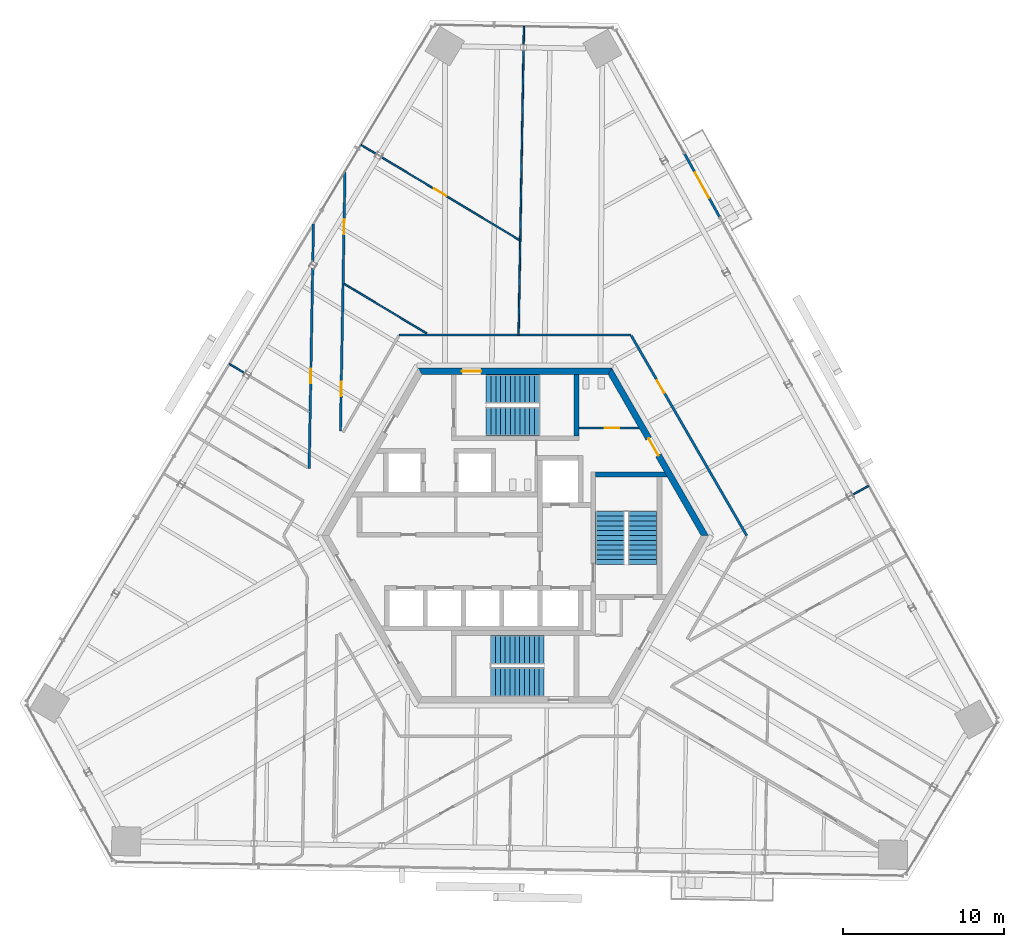
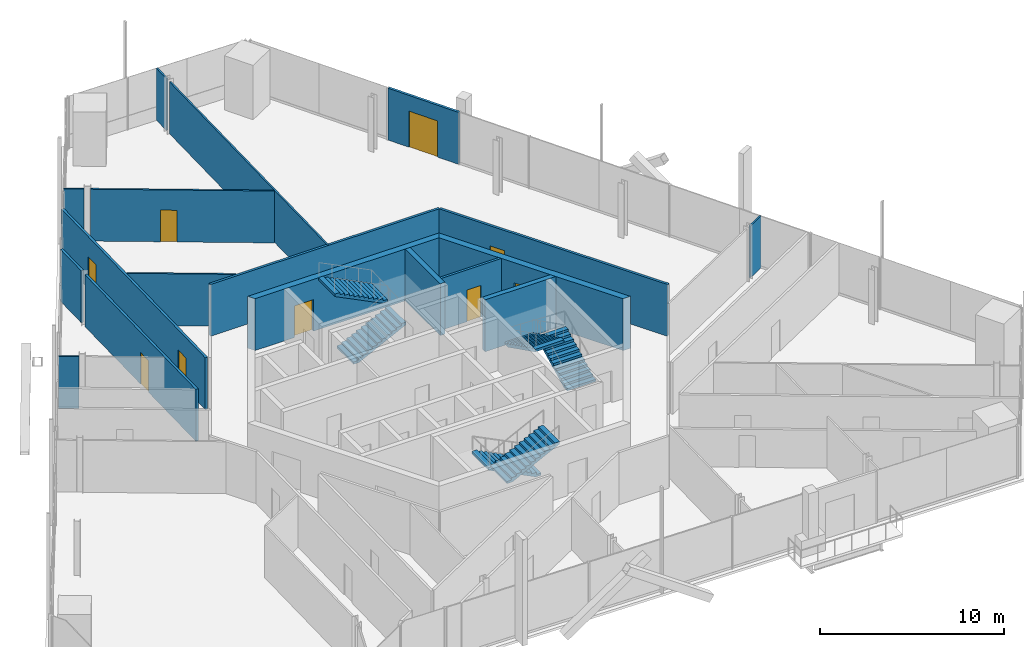
# One storey, part 14 of 20: 18 walls, 9 doors, 6 stair flights, 9 openings, 3 elements without a shape of their own.
"""IFC4 building model written with IfcOpenShell, lengths in metres."""

from ifc_helpers import new_model, si_unit, direction, frame, frame_2d, origin, place, context, subcontext, project, spatial, polyline, rectangle, outline, extrude, source, transform, mapped, material, layer, layer_set, type_object, element, fill, aggregate, save


model = new_model("IFC4")

# Units and contexts
model_context = context("Model", 3, precision=1e-05, world=origin(), true_north=direction((0.0, 1.0)))
body_context = subcontext(model_context, "Body", "Model", "MODEL_VIEW")
ifc_project = project(units=[si_unit("LENGTHUNIT", "METRE"), si_unit("AREAUNIT", "SQUARE_METRE"), si_unit("VOLUMEUNIT", "CUBIC_METRE"), si_unit("PLANEANGLEUNIT", "RADIAN"), si_unit("MASSUNIT", "GRAM", prefix="KILO")], contexts=[model_context])

# Site, building, storey
site_placement = place(None, origin())
site = spatial("IfcSite", under=ifc_project, at=site_placement, CompositionType="ELEMENT")
building_placement = place(site_placement, origin())
building = spatial("IfcBuilding", under=site, at=building_placement, Name="Triune Harvest Tower", CompositionType="ELEMENT")
storey_placement = place(building_placement, frame((0.0, 0.0, 194.300048828125)))
storey = spatial("IfcBuildingStorey", under=building, at=storey_placement, Name="L50", CompositionType="ELEMENT", Elevation=194.300048828125)

# Wall, openings, doors
ifc_material_1 = material(Name="Gypsum board on steel studs", Category="steel")
ifc_layer_1 = layer(ifc_material_1, 0.14990234375)
ifc_layer_set_1 = layer_set([ifc_layer_1], Name="Gypsum board on steel studs")
wall_type_1 = type_object("IfcWallType", Name="Fire Partition 150 mm", PredefinedType="PARTITIONING", material=ifc_layer_set_1)
wall_1_placement = place(storey_placement, frame((-10.8291015625, 6.50341796875, 0.0), z_axis=(0.0, 0.0, 1.0), x_axis=(0.017449085166, 0.999847753124, 0.0)))
wall_1 = element("IfcWall", 1, at=wall_1_placement, inside=storey, type_object=wall_type_1, Name="Partition L50 045", PredefinedType="PARTITIONING", context=body_context, shape_type="SweptSolid", body=[
    extrude(rectangle(XDim=16.09033203125, YDim=0.14990234375, at=frame_2d((8.045166015625, 0.0))), origin(), (0.0, 0.0, 1.0), 3.43994140625),
])
opening_1_placement = place(wall_1_placement, frame((12.20703125, 0.0, 0.0)))
opening_1 = element("IfcOpeningElement", 2, at=opening_1_placement, cuts=wall_1, Name="Opening L50-005", PredefinedType="OPENING", context=body_context, shape_type="SweptSolid", body=[
    extrude(rectangle(XDim=0.89990234375, YDim=2.10009765625, at=frame_2d((0.449951171875, 1.050048828125))), frame((0.0, 0.0849609375, 0.0), z_axis=(0.0, -1.0, 0.0), x_axis=(1.0, 0.0, 0.0)), (0.0, 0.0, 1.0), 0.169921875),
])
opening_2_placement = place(wall_1_placement, frame((2.1533203125, 0.0, 0.0)))
opening_2 = element("IfcOpeningElement", 3, at=opening_2_placement, cuts=wall_1, Name="Opening L50-007", PredefinedType="OPENING", context=body_context, shape_type="SweptSolid", body=[
    extrude(rectangle(XDim=0.89990234375, YDim=2.10009765625, at=frame_2d((0.449951171875, 1.050048828125))), frame((0.0, 0.0849609375, 0.0), z_axis=(0.0, -1.0, 0.0), x_axis=(1.0, 0.0, 0.0)), (0.0, 0.0, 1.0), 0.169921875),
])
ifc_material_2 = material(Name="Timber and steel door set", Category="steel")
door_type_1 = type_object("IfcDoorType", Name="Single leaf door FD30 left hand 900 x 2100", OperationType="SINGLE_SWING_LEFT", PredefinedType="DOOR", material=ifc_material_2)
door_1_placement = place(opening_1_placement, origin())
door_1 = element("IfcDoor", 4, at=door_1_placement, inside=storey, type_object=door_type_1, Name="Door L50-005 Project Room 50.05", OperationType="SINGLE_SWING_LEFT", OverallHeight=2.10009765625, OverallWidth=0.89990234375, PredefinedType="DOOR", context=body_context, shape_type="SweptSolid", body=[
    extrude(rectangle(XDim=0.89990234375, YDim=2.10009765625, at=frame_2d((0.449951171875, 1.050048828125))), frame((0.0, 0.02490234375, 0.0), z_axis=(0.0, -1.0, 0.0), x_axis=(1.0, 0.0, 0.0)), (0.0, 0.0, 1.0), 0.050048828125),
])
fill(opening_1, door_1)
ifc_material_3 = material(Name="Timber and steel door set", Category="steel")
door_type_2 = type_object("IfcDoorType", Name="Single leaf door FD30 right hand 900 x 2100", OperationType="SINGLE_SWING_RIGHT", PredefinedType="DOOR", material=ifc_material_3)
door_2_placement = place(opening_2_placement, origin())
door_2 = element("IfcDoor", 5, at=door_2_placement, inside=storey, type_object=door_type_2, Name="Door L50-007 Pantry 50.07", OperationType="SINGLE_SWING_RIGHT", OverallHeight=2.10009765625, OverallWidth=0.89990234375, PredefinedType="DOOR", context=body_context, shape_type="SweptSolid", body=[
    extrude(rectangle(XDim=0.89990234375, YDim=2.10009765625, at=frame_2d((0.449951171875, 1.050048828125))), frame((0.0, 0.02490234375, 0.0), z_axis=(0.0, -1.0, 0.0), x_axis=(1.0, 0.0, 0.0)), (0.0, 0.0, 1.0), 0.050048828125),
])
fill(opening_2, door_2)

# Wall, opening, door
wall_2_placement = place(storey_placement, frame((-12.770263671875, 4.1572265625, 0.0), z_axis=(0.0, 0.0, 1.0), x_axis=(0.017439892893, 0.999847913503, 0.0)))
wall_2 = element("IfcWall", 6, at=wall_2_placement, inside=storey, type_object=wall_type_1, Name="Partition L50 047", PredefinedType="PARTITIONING", context=body_context, shape_type="SweptSolid", body=[
    extrude(rectangle(XDim=12.43115234375, YDim=0.14990234375, at=frame_2d((6.215576171875, 0.0))), origin(), (0.0, 0.0, 1.0), 3.43994140625),
])
opening_3_placement = place(wall_2_placement, frame((5.306640625, 0.0, 0.0)))
opening_3 = element("IfcOpeningElement", 7, at=opening_3_placement, cuts=wall_2, Name="Opening L50-006", PredefinedType="OPENING", context=body_context, shape_type="SweptSolid", body=[
    extrude(rectangle(XDim=0.89990234375, YDim=2.10009765625, at=frame_2d((0.449951171875, 1.050048828125))), frame((0.0, 0.0849609375, 0.0), z_axis=(0.0, -1.0, 0.0), x_axis=(1.0, 0.0, 0.0)), (0.0, 0.0, 1.0), 0.169921875),
])
door_3_placement = place(opening_3_placement, origin())
door_3 = element("IfcDoor", 8, at=door_3_placement, inside=storey, type_object=door_type_1, Name="Door L50-006 Project Room 50.06", OperationType="SINGLE_SWING_LEFT", OverallHeight=2.10009765625, OverallWidth=0.89990234375, PredefinedType="DOOR", context=body_context, shape_type="SweptSolid", body=[
    extrude(rectangle(XDim=0.89990234375, YDim=2.10009765625, at=frame_2d((0.449951171875, 1.050048828125))), frame((0.0, 0.02490234375, 0.0), z_axis=(0.0, -1.0, 0.0), x_axis=(1.0, 0.0, 0.0)), (0.0, 0.0, 1.0), 0.050048828125),
])
fill(opening_3, door_3)

ifc_material_4 = material(Name="Concrete 70 MPa", Category="concrete")
ifc_layer_2 = layer(ifc_material_4, 0.39990234375)
ifc_layer_set_2 = layer_set([ifc_layer_2], Name="Concrete 70 MPa")
wall_type_2 = type_object("IfcWallType", Name="Core wall 400", PredefinedType="SHEAR", material=ifc_layer_set_2)
shared_shape_1 = source(origin(), body_context, "Body", "SweptSolid", [
    extrude(outline(polyline([(-0.115478515625, -0.199951171875), (11.884521484375, -0.199951171875), (11.653564453125, 0.199951171875), (0.115478515625, 0.199951171875), (-0.115478515625, -0.199951171875)])), origin(), (0.0, 0.0, 1.0), 3.43994140625),
])
wall_3_placement = place(storey_placement, frame((11.76904296875, 0.0, 0.0), z_axis=(0.0, 0.0, 1.0), x_axis=(-0.499996592174, 0.866027371285, 0.0)))
wall_3 = element("IfcWall", 9, at=wall_3_placement, inside=storey, type_object=wall_type_2, Name="Hexagon 0 wall", PredefinedType="SHEAR", context=body_context, shape_type="MappedRepresentation", body=[
    mapped(shared_shape_1, transform((0.0, 0.0, 0.0), scale=1.0)),
])
opening_4_placement = place(wall_3_placement, frame((5.75048828125, 0.0, 0.0)))
opening_4 = element("IfcOpeningElement", 10, at=opening_4_placement, cuts=wall_3, Name="Opening CD-WCP", PredefinedType="OPENING", context=body_context, shape_type="SweptSolid", body=[
    extrude(rectangle(XDim=1.199951171875, YDim=2.10009765625, at=frame_2d((0.60009765625, 1.050048828125))), frame((0.0, 0.2099609375, 0.0), z_axis=(0.0, -1.0, 0.0), x_axis=(1.0, 0.0, 0.0)), (0.0, 0.0, 1.0), 0.419921875),
])
ifc_material_5 = material(Name="Steel S235", Category="steel")
door_type_3 = type_object("IfcDoorType", Name="Lobby door 1200 FD120", OperationType="SINGLE_SWING_LEFT", PredefinedType="DOOR", material=ifc_material_5)
door_4_placement = place(opening_4_placement, frame((1.199951171875, 0.0, 0.0), z_axis=(0.0, 0.0, 1.0), x_axis=(-1.0, 0.0, 0.0)))
door_4 = element("IfcDoor", 11, at=door_4_placement, inside=storey, type_object=door_type_3, Name="Door CD-WCP", OperationType="SINGLE_SWING_RIGHT", OverallHeight=2.10009765625, OverallWidth=1.199951171875, PredefinedType="DOOR", context=body_context, shape_type="SweptSolid", body=[
    extrude(rectangle(XDim=1.199951171875, YDim=2.10009765625, at=frame_2d((0.60009765625, 1.050048828125))), frame((0.0, 0.02490234375, 0.0), z_axis=(0.0, -1.0, 0.0), x_axis=(1.0, 0.0, 0.0)), (0.0, 0.0, 1.0), 0.050048828125),
])
fill(opening_4, door_4)

wall_4_placement = place(storey_placement, frame((5.884521484375, 10.1923828125, 0.0), z_axis=(0.0, 0.0, 1.0), x_axis=(-1.0, 0.0, 0.0)))
wall_4 = element("IfcWall", 12, at=wall_4_placement, inside=storey, type_object=wall_type_2, Name="Hexagon 1 wall", PredefinedType="SHEAR", context=body_context, shape_type="MappedRepresentation", body=[
    mapped(shared_shape_1, transform((0.0, 0.0, 0.0), scale=1.0)),
])
opening_5_placement = place(wall_4_placement, frame((7.984619140625, 0.0, 0.0)))
opening_5 = element("IfcOpeningElement", 13, at=opening_5_placement, cuts=wall_4, Name="Opening CD-S1P", PredefinedType="OPENING", context=body_context, shape_type="SweptSolid", body=[
    extrude(rectangle(XDim=1.199951171875, YDim=2.10009765625, at=frame_2d((0.60009765625, 1.050048828125))), frame((0.0, 0.2099609375, 0.0), z_axis=(0.0, -1.0, 0.0), x_axis=(1.0, 0.0, 0.0)), (0.0, 0.0, 1.0), 0.419921875),
])
ifc_material_6 = material(Name="Steel S235", Category="steel")
door_type_4 = type_object("IfcDoorType", Name="Stair door 1200 FD120", OperationType="SINGLE_SWING_LEFT", PredefinedType="DOOR", material=ifc_material_6)
door_5_placement = place(opening_5_placement, frame((1.199951171875, 0.0, 0.0), z_axis=(0.0, 0.0, 1.0), x_axis=(-1.0, 0.0, 0.0)))
door_5 = element("IfcDoor", 14, at=door_5_placement, inside=storey, type_object=door_type_4, Name="Door CD-S1P", OperationType="SINGLE_SWING_RIGHT", OverallHeight=2.10009765625, OverallWidth=1.199951171875, PredefinedType="DOOR", context=body_context, shape_type="SweptSolid", body=[
    extrude(rectangle(XDim=1.199951171875, YDim=2.10009765625, at=frame_2d((0.60009765625, 1.050048828125))), frame((0.0, 0.02490234375, 0.0), z_axis=(0.0, -1.0, 0.0), x_axis=(1.0, 0.0, 0.0)), (0.0, 0.0, 1.0), 0.050048828125),
])
fill(opening_5, door_5)

# Walls
ifc_material_7 = material(Name="Concrete 70 MPa", Category="concrete")
ifc_layer_3 = layer(ifc_material_7, 0.300048828125)
ifc_layer_set_3 = layer_set([ifc_layer_3], Name="Concrete 70 MPa")
wall_type_3 = type_object("IfcWallType", Name="Core wall 300", PredefinedType="SHEAR", material=ifc_layer_set_3)
shared_shape_2 = source(origin(), body_context, "Body", "SweptSolid", [
    extrude(outline(polyline([(0.0, -0.14990234375), (0.0, 0.14990234375), (4.260009765625, 0.14990234375), (4.43310546875, -0.14990234375), (0.0, -0.14990234375)])), origin(), (0.0, 0.0, 1.0), 3.43994140625),
])
wall_5_placement = place(storey_placement, frame((5.0, 3.800048828125, 0.0), z_axis=(0.0, 0.0, 1.0), x_axis=(1.0, 0.0, 0.0)))
element("IfcWall", 15, at=wall_5_placement, inside=storey, type_object=wall_type_3, Name="Stair e north wall", PredefinedType="SHEAR", context=body_context, shape_type="MappedRepresentation", body=[
    mapped(shared_shape_2, transform((0.0, 0.0, 0.0), scale=1.0)),
])
shared_shape_3 = source(origin(), body_context, "Body", "SweptSolid", [
    extrude(outline(polyline([(0.0, -0.14990234375), (0.0, 0.14990234375), (3.80419921875, 0.14990234375), (3.80419921875, -0.14990234375), (0.0, -0.14990234375)])), origin(), (0.0, 0.0, 1.0), 3.43994140625),
])
wall_6_placement = place(storey_placement, frame((3.800048828125, 6.18994140625, 0.0), z_axis=(0.0, 0.0, 1.0), x_axis=(0.0, 1.0, 0.0)))
element("IfcWall", 16, at=wall_6_placement, inside=storey, type_object=wall_type_3, Name="Stair n east wall", PredefinedType="SHEAR", context=body_context, shape_type="MappedRepresentation", body=[
    mapped(shared_shape_3, transform((0.0, 0.0, 0.0), scale=1.0)),
])

# Wall, opening, door
ifc_material_8 = material(Name="Concrete masonry unit", Category="masonry")
ifc_layer_4 = layer(ifc_material_8, 0.14990234375)
ifc_layer_set_4 = layer_set([ifc_layer_4], Name="Concrete masonry unit")
wall_type_4 = type_object("IfcWallType", Name="Block partition 150 unrated", PredefinedType="PARTITIONING", material=ifc_layer_set_4)
shared_shape_4 = source(origin(), body_context, "Body", "SweptSolid", [
    extrude(outline(polyline([(0.0, -0.074951171875), (0.0, 0.074951171875), (3.693359375, 0.074951171875), (3.77978515625, -0.074951171875), (0.0, -0.074951171875)])), origin(), (0.0, 0.0, 1.0), 3.43994140625),
])
wall_7_placement = place(storey_placement, frame((3.949951171875, 6.675048828125, 0.0), z_axis=(0.0, 0.0, 1.0), x_axis=(1.0, 0.0, 0.0)))
wall_7 = element("IfcWall", 17, at=wall_7_placement, inside=storey, type_object=wall_type_4, Name="Wc women south wall", PredefinedType="PARTITIONING", context=body_context, shape_type="MappedRepresentation", body=[
    mapped(shared_shape_4, transform((0.0, 0.0, 0.0), scale=1.0)),
])
opening_6_placement = place(wall_7_placement, frame((1.60009765625, 0.0, 0.0)))
opening_6 = element("IfcOpeningElement", 18, at=opening_6_placement, cuts=wall_7, Name="Opening CD-WW", PredefinedType="OPENING", context=body_context, shape_type="SweptSolid", body=[
    extrude(rectangle(XDim=0.89990234375, YDim=2.10009765625, at=frame_2d((0.449951171875, 1.050048828125))), frame((0.0, 0.0849609375, 0.0), z_axis=(0.0, -1.0, 0.0), x_axis=(1.0, 0.0, 0.0)), (0.0, 0.0, 1.0), 0.169921875),
])
ifc_material_9 = material(Name="Timber C24", Category="wood")
door_type_5 = type_object("IfcDoorType", Name="WC door 900", OperationType="SINGLE_SWING_LEFT", PredefinedType="DOOR", material=ifc_material_9)
door_6_placement = place(opening_6_placement, origin())
door_6 = element("IfcDoor", 19, at=door_6_placement, inside=storey, type_object=door_type_5, Name="Door CD-WW", OperationType="SINGLE_SWING_LEFT", OverallHeight=2.10009765625, OverallWidth=0.89990234375, PredefinedType="DOOR", context=body_context, shape_type="SweptSolid", body=[
    extrude(rectangle(XDim=0.89990234375, YDim=2.10009765625, at=frame_2d((0.449951171875, 1.050048828125))), frame((0.0, 0.02490234375, 0.0), z_axis=(0.0, -1.0, 0.0), x_axis=(1.0, 0.0, 0.0)), (0.0, 0.0, 1.0), 0.050048828125),
])
fill(opening_6, door_6)

ifc_material_10 = material(Name="Aluminium bronze anodised", Category="aluminium")
ifc_layer_5 = layer(ifc_material_10, 0.14990234375)
ifc_layer_set_5 = layer_set([ifc_layer_5], Name="Aluminium bronze anodised")
wall_type_5 = type_object("IfcWallType", Name="WW-2 balcony window wall", PredefinedType="ELEMENTEDWALL", material=ifc_layer_set_5)
shared_shape_5 = source(origin(), body_context, "Body", "SweptSolid", [
    extrude(rectangle(XDim=4.460693359375, YDim=0.14990234375, at=frame_2d((2.23046875, 0.0))), origin(), (0.0, 0.0, 1.0), 3.43994140625),
])
wall_8_placement = place(storey_placement, frame((10.515625, 23.67919921875, 0.0), z_axis=(0.0, 0.0, 1.0), x_axis=(0.484815538564, -0.874616426536, 0.0)))
wall_8 = element("IfcWall", 20, at=wall_8_placement, inside=storey, type_object=wall_type_5, Name="WW-2 B5-F1 L50.9", PredefinedType="ELEMENTEDWALL", context=body_context, shape_type="MappedRepresentation", body=[
    mapped(shared_shape_5, transform((0.0, 0.0, 0.0), scale=1.0)),
])
opening_7_placement = place(wall_8_placement, frame((1.330322265625, 0.0, 0.0)))
opening_7 = element("IfcOpeningElement", 21, at=opening_7_placement, cuts=wall_8, Name="Opening L50-E01", PredefinedType="OPENING", context=body_context, shape_type="SweptSolid", body=[
    extrude(rectangle(XDim=1.800048828125, YDim=2.39990234375, at=frame_2d((0.89990234375, 1.199951171875))), frame((0.0, 0.0849609375, 0.0), z_axis=(0.0, -1.0, 0.0), x_axis=(1.0, 0.0, 0.0)), (0.0, 0.0, 1.0), 0.169921875),
])
ifc_material_11 = material(Name="Glass", Category="glass")
door_type_6 = type_object("IfcDoorType", Name="DB-1 balcony door 1800 x 2400", OperationType="DOUBLE_DOOR_SINGLE_SWING", PredefinedType="DOOR", material=ifc_material_11)
door_7_placement = place(opening_7_placement, origin())
door_7 = element("IfcDoor", 22, at=door_7_placement, inside=storey, type_object=door_type_6, Name="Door L50-E01", OperationType="DOUBLE_DOOR_SINGLE_SWING", OverallHeight=2.39990234375, OverallWidth=1.800048828125, PredefinedType="DOOR", context=body_context, shape_type="SweptSolid", body=[
    extrude(rectangle(XDim=1.800048828125, YDim=2.39990234375, at=frame_2d((0.89990234375, 1.199951171875))), frame((0.0, 0.02490234375, 0.0), z_axis=(0.0, -1.0, 0.0), x_axis=(1.0, 0.0, 0.0)), (0.0, 0.0, 1.0), 0.050048828125),
])
fill(opening_7, door_7)

# Walls
shared_shape_6 = source(origin(), body_context, "Body", "SweptSolid", [
    extrude(rectangle(XDim=14.3671875, YDim=0.14990234375, at=frame_2d((7.18359375, 0.0))), origin(), (0.0, 0.0, 1.0), 3.43994140625),
])
wall_9_placement = place(storey_placement, frame((-7.18359375, 12.4423828125, 0.0), z_axis=(0.0, 0.0, 1.0), x_axis=(1.0, 0.0, 0.0)))
element("IfcWall", 23, at=wall_9_placement, inside=storey, type_object=wall_type_1, Name="Partition L50 020", PredefinedType="PARTITIONING", context=body_context, shape_type="MappedRepresentation", body=[
    mapped(shared_shape_6, transform((0.0, 0.0, 0.0), scale=1.0)),
])
ifc_material_12 = material(Name="Gypsum board on steel studs", Category="steel")
ifc_layer_6 = layer(ifc_material_12, 0.10009765625)
ifc_layer_set_6 = layer_set([ifc_layer_6], Name="Gypsum board on steel studs")
wall_type_6 = type_object("IfcWallType", Name="Partition 100 mm", PredefinedType="PARTITIONING", material=ifc_layer_set_6)
shared_shape_7 = source(origin(), body_context, "Body", "SweptSolid", [
    extrude(rectangle(XDim=1.13037109375, YDim=0.10009765625, at=frame_2d((0.565185546875, 0.0))), origin(), (0.0, 0.0, 1.0), 3.43994140625),
])
wall_10_placement = place(storey_placement, frame((-17.7236328125, 10.6494140625, 0.0), z_axis=(0.0, 0.0, 1.0), x_axis=(0.857149738065, -0.515067302919, 0.0)))
element("IfcWall", 24, at=wall_10_placement, inside=storey, type_object=wall_type_6, Name="Partition L50 011", PredefinedType="PARTITIONING", context=body_context, shape_type="MappedRepresentation", body=[
    mapped(shared_shape_7, transform((0.0, 0.0, 0.0), scale=1.0)),
])
shared_shape_8 = source(origin(), body_context, "Body", "SweptSolid", [
    extrude(rectangle(XDim=1.130615234375, YDim=0.10009765625, at=frame_2d((0.5654296875, 0.0))), origin(), (0.0, 0.0, 1.0), 3.43994140625),
])
for number, where, z_axis, x_axis, name in (
    (25, (-9.55810546875, 24.239501953125, 0.0), (0.0, 0.0, 1.0), (0.85705438935, -0.515225944316, 0.0), "Partition L50 016"),
    (26, (20.93896484375, 2.54296875, 0.0), (0.0, 0.0, 1.0), (0.874615280468, 0.484817606087, 0.0), "Partition L50 028"),
    (27, (0.531494140625, 30.449951171875, 0.0), (0.0, 0.0, 1.0), (0.017491923839, 0.999847004596, 0.0), "Partition L50 042"),
):
    element("IfcWall", number, at=place(storey_placement, frame(where, z_axis=z_axis, x_axis=x_axis)), inside=storey, type_object=wall_type_6, Name=name, PredefinedType="PARTITIONING", context=body_context, shape_type="MappedRepresentation", body=[
        mapped(shared_shape_8, transform((0.0, 0.0, 0.0), scale=1.0)),
    ])

# Wall, opening, door
shared_shape_9 = source(origin(), body_context, "Body", "SweptSolid", [
    extrude(rectangle(XDim=14.317138671875, YDim=0.14990234375, at=frame_2d((7.15869140625, 0.0))), origin(), (0.0, 0.0, 1.0), 3.43994140625),
])
wall_11_placement = place(storey_placement, frame((7.20849609375, 12.39892578125, 0.0), z_axis=(0.0, 0.0, 1.0), x_axis=(0.5000088147, -0.866020314555, 0.0)))
wall_11 = element("IfcWall", 28, at=wall_11_placement, inside=storey, type_object=wall_type_1, Name="Partition L50 004", PredefinedType="PARTITIONING", context=body_context, shape_type="MappedRepresentation", body=[
    mapped(shared_shape_9, transform((0.0, 0.0, 0.0), scale=1.0)),
])
opening_8_placement = place(wall_11_placement, frame((3.20068359375, 0.0, 0.0)))
opening_8 = element("IfcOpeningElement", 29, at=opening_8_placement, cuts=wall_11, Name="Opening L50-003", PredefinedType="OPENING", context=body_context, shape_type="SweptSolid", body=[
    extrude(rectangle(XDim=0.89990234375, YDim=2.10009765625, at=frame_2d((0.449951171875, 1.050048828125))), frame((0.0, 0.0849609375, 0.0), z_axis=(0.0, -1.0, 0.0), x_axis=(1.0, 0.0, 0.0)), (0.0, 0.0, 1.0), 0.169921875),
])
door_8_placement = place(opening_8_placement, origin())
door_8 = element("IfcDoor", 30, at=door_8_placement, inside=storey, type_object=door_type_1, Name="Door L50-003 Open Office 50.03", OperationType="SINGLE_SWING_LEFT", OverallHeight=2.10009765625, OverallWidth=0.89990234375, PredefinedType="DOOR", context=body_context, shape_type="SweptSolid", body=[
    extrude(rectangle(XDim=0.89990234375, YDim=2.10009765625, at=frame_2d((0.449951171875, 1.050048828125))), frame((0.0, 0.02490234375, 0.0), z_axis=(0.0, -1.0, 0.0), x_axis=(1.0, 0.0, 0.0)), (0.0, 0.0, 1.0), 0.050048828125),
])
fill(opening_8, door_8)

# Wall
shared_shape_10 = source(origin(), body_context, "Body", "SweptSolid", [
    extrude(rectangle(XDim=5.96533203125, YDim=0.10009765625, at=frame_2d((2.982666015625, 0.0))), origin(), (0.0, 0.0, 1.0), 3.43994140625),
])
wall_12_placement = place(storey_placement, frame((-10.592041015625, 15.612548828125, 0.0), z_axis=(0.0, 0.0, 1.0), x_axis=(0.857174976065, -0.515025300745, 0.0)))
element("IfcWall", 31, at=wall_12_placement, inside=storey, type_object=wall_type_6, Name="Partition L50 015", PredefinedType="PARTITIONING", context=body_context, shape_type="MappedRepresentation", body=[
    mapped(shared_shape_10, transform((0.0, 0.0, 0.0), scale=1.0)),
])

# Wall, opening, door
shared_shape_11 = source(origin(), body_context, "Body", "SweptSolid", [
    extrude(rectangle(XDim=9.98974609375, YDim=0.10009765625, at=frame_2d((4.994873046875, 0.0))), origin(), (0.0, 0.0, 1.0), 3.43994140625),
])
wall_13_placement = place(storey_placement, frame((-8.294921875, 23.480224609375, 0.0), z_axis=(0.0, 0.0, 1.0), x_axis=(0.857173616103, -0.515027564172, 0.0)))
wall_13 = element("IfcWall", 32, at=wall_13_placement, inside=storey, type_object=wall_type_6, Name="Partition L50 017", PredefinedType="PARTITIONING", context=body_context, shape_type="MappedRepresentation", body=[
    mapped(shared_shape_11, transform((0.0, 0.0, 0.0), scale=1.0)),
])
opening_9_placement = place(wall_13_placement, frame((3.7998046875, 0.0, 0.0)))
opening_9 = element("IfcOpeningElement", 33, at=opening_9_placement, cuts=wall_13, Name="Opening L50-004", PredefinedType="OPENING", context=body_context, shape_type="SweptSolid", body=[
    extrude(rectangle(XDim=0.89990234375, YDim=2.10009765625, at=frame_2d((0.449951171875, 1.050048828125))), frame((0.0, 0.06005859375, 0.0), z_axis=(0.0, -1.0, 0.0), x_axis=(1.0, 0.0, 0.0)), (0.0, 0.0, 1.0), 0.1201171875),
])
ifc_material_13 = material(Name="Timber and steel door set", Category="steel")
door_type_7 = type_object("IfcDoorType", Name="Single leaf door left hand 900 x 2100", OperationType="SINGLE_SWING_LEFT", PredefinedType="DOOR", material=ifc_material_13)
door_9_placement = place(opening_9_placement, origin())
door_9 = element("IfcDoor", 34, at=door_9_placement, inside=storey, type_object=door_type_7, Name="Door L50-004 Reception 50.04", OperationType="SINGLE_SWING_LEFT", OverallHeight=2.10009765625, OverallWidth=0.89990234375, PredefinedType="DOOR", context=body_context, shape_type="SweptSolid", body=[
    extrude(rectangle(XDim=0.89990234375, YDim=2.10009765625, at=frame_2d((0.449951171875, 1.050048828125))), frame((0.0, 0.02490234375, 0.0), z_axis=(0.0, -1.0, 0.0), x_axis=(1.0, 0.0, 0.0)), (0.0, 0.0, 1.0), 0.050048828125),
])
fill(opening_9, door_9)

# Walls
shared_shape_12 = source(origin(), body_context, "Body", "SweptSolid", [
    extrude(rectangle(XDim=17.6669921875, YDim=0.10009765625, at=frame_2d((8.83349609375, 0.0))), origin(), (0.0, 0.0, 1.0), 3.43994140625),
])
wall_14_placement = place(storey_placement, frame((0.21728515625, 12.4423828125, 0.0), z_axis=(0.0, 0.0, 1.0), x_axis=(0.017439609596, 0.999847918444, 0.0)))
element("IfcWall", 35, at=wall_14_placement, inside=storey, type_object=wall_type_6, Name="Partition L50 041", PredefinedType="PARTITIONING", context=body_context, shape_type="MappedRepresentation", body=[
    mapped(shared_shape_12, transform((0.0, 0.0, 0.0), scale=1.0)),
])
shared_shape_13 = source(origin(), body_context, "Body", "SweptSolid", [
    extrude(rectangle(XDim=2.343017578125, YDim=0.14990234375, at=frame_2d((1.17138671875, 0.0))), origin(), (0.0, 0.0, 1.0), 3.43994140625),
])
wall_15_placement = place(storey_placement, frame((-12.54638671875, 16.991455078125, 0.0), z_axis=(0.0, 0.0, 1.0), x_axis=(0.017504612283, 0.999846782537, 0.0)))
element("IfcWall", 36, at=wall_15_placement, inside=storey, type_object=wall_type_1, Name="Partition L50 048", PredefinedType="PARTITIONING", context=body_context, shape_type="MappedRepresentation", body=[
    mapped(shared_shape_13, transform((0.0, 0.0, 0.0), scale=1.0)),
])

# Stair, stair flights
ifc_material_14 = material(Name="Concrete 40 MPa", Category="concrete")
stair_type = type_object("IfcStairType", Name="Exit stair 1800 half turn", PredefinedType="HALF_TURN_STAIR", material=ifc_material_14)
stair_1_placement = place(storey_placement, origin())
stair_1 = element("IfcStair", 37, at=stair_1_placement, inside=storey, type_object=stair_type, Name="Exit stair north", PredefinedType="HALF_TURN_STAIR")
ifc_material_15 = material(Name="Concrete 40 MPa", Category="concrete")
stair_flight_type = type_object("IfcStairFlightType", Name="Stair flight 1800", PredefinedType="STRAIGHT", material=ifc_material_15)
shared_shape_14 = source(origin(), body_context, "Body", "SweptSolid", [
    extrude(outline(polyline([(0.0, 0.0), (0.0, 0.14990234375), (0.300048828125, 0.14990234375), (0.300048828125, 0.300048828125), (0.60009765625, 0.300048828125), (0.60009765625, 0.449951171875), (0.89990234375, 0.449951171875), (0.89990234375, 0.60009765625), (1.199951171875, 0.60009765625), (1.199951171875, 0.75), (1.5, 0.75), (1.5, 0.89990234375), (1.800048828125, 0.89990234375), (1.800048828125, 1.050048828125), (2.10009765625, 1.050048828125), (2.10009765625, 1.199951171875), (2.39990234375, 1.199951171875), (2.39990234375, 1.35009765625), (2.699951171875, 1.35009765625), (2.699951171875, 1.5), (3.0, 1.5), (3.0, 1.64990234375), (3.300048828125, 1.64990234375), (3.300048828125, 1.800048828125), (3.300048828125, 1.482421875), (0.335205078125, 0.0), (0.0, 0.0)])), frame((0.0, 0.89990234375, 0.0), z_axis=(0.0, -1.0, 0.0), x_axis=(1.0, 0.0, 0.0)), (0.0, 0.0, 1.0), 1.800048828125),
])
stair_flight_1_placement = place(storey_placement, frame((-1.7900390625, 7.090087890625, 0.0), z_axis=(0.0, 0.0, 1.0), x_axis=(1.0, 0.0, 0.0)))
stair_flight_1 = element("IfcStairFlight", 38, at=stair_flight_1_placement, type_object=stair_flight_type, Name="ST-1 flight 1", NumberOfRisers=12, NumberOfTreads=11, PredefinedType="STRAIGHT", RiserHeight=0.15, TreadLength=0.3, context=body_context, shape_type="MappedRepresentation", body=[
    mapped(shared_shape_14, transform((0.0, 0.0, 0.0), scale=1.0)),
])
stair_flight_2_placement = place(storey_placement, frame((1.510009765625, 9.090087890625, 1.800048828125), z_axis=(0.0, 0.0, 1.0), x_axis=(-1.0, 0.0, 0.0)))
stair_flight_2 = element("IfcStairFlight", 39, at=stair_flight_2_placement, type_object=stair_flight_type, Name="ST-1 flight 2", NumberOfRisers=12, NumberOfTreads=11, PredefinedType="STRAIGHT", RiserHeight=0.15, TreadLength=0.3, context=body_context, shape_type="MappedRepresentation", body=[
    mapped(shared_shape_14, transform((0.0, 0.0, 0.0), scale=1.0)),
])
aggregate(stair_1, [stair_flight_1, stair_flight_2])

stair_2_placement = place(storey_placement, origin())
stair_2 = element("IfcStair", 40, at=stair_2_placement, inside=storey, type_object=stair_type, Name="Exit stair south", PredefinedType="HALF_TURN_STAIR")
stair_flight_3_placement = place(storey_placement, frame((1.7900390625, -7.090087890625, 0.0), z_axis=(0.0, 0.0, 1.0), x_axis=(-1.0, 0.0, 0.0)))
stair_flight_3 = element("IfcStairFlight", 41, at=stair_flight_3_placement, type_object=stair_flight_type, Name="ST-2 flight 1", NumberOfRisers=12, NumberOfTreads=11, PredefinedType="STRAIGHT", RiserHeight=0.15, TreadLength=0.3, context=body_context, shape_type="MappedRepresentation", body=[
    mapped(shared_shape_14, transform((0.0, 0.0, 0.0), scale=1.0)),
])
stair_flight_4_placement = place(storey_placement, frame((-1.510009765625, -9.090087890625, 1.800048828125), z_axis=(0.0, 0.0, 1.0), x_axis=(1.0, 0.0, 0.0)))
stair_flight_4 = element("IfcStairFlight", 42, at=stair_flight_4_placement, type_object=stair_flight_type, Name="ST-2 flight 2", NumberOfRisers=12, NumberOfTreads=11, PredefinedType="STRAIGHT", RiserHeight=0.15, TreadLength=0.3, context=body_context, shape_type="MappedRepresentation", body=[
    mapped(shared_shape_14, transform((0.0, 0.0, 0.0), scale=1.0)),
])
aggregate(stair_2, [stair_flight_3, stair_flight_4])

stair_3_placement = place(storey_placement, origin())
stair_3 = element("IfcStair", 43, at=stair_3_placement, inside=storey, type_object=stair_type, Name="Exit stair east", PredefinedType="HALF_TURN_STAIR")
stair_flight_5_placement = place(storey_placement, frame((7.89990234375, -1.7900390625, 0.0), z_axis=(0.0, 0.0, 1.0), x_axis=(0.0, 1.0, 0.0)))
stair_flight_5 = element("IfcStairFlight", 44, at=stair_flight_5_placement, type_object=stair_flight_type, Name="ST-3 flight 1", NumberOfRisers=12, NumberOfTreads=11, PredefinedType="STRAIGHT", RiserHeight=0.15, TreadLength=0.3, context=body_context, shape_type="MappedRepresentation", body=[
    mapped(shared_shape_14, transform((0.0, 0.0, 0.0), scale=1.0)),
])
stair_flight_6_placement = place(storey_placement, frame((5.89990234375, 1.510009765625, 1.800048828125), z_axis=(0.0, 0.0, 1.0), x_axis=(0.0, -1.0, 0.0)))
stair_flight_6 = element("IfcStairFlight", 45, at=stair_flight_6_placement, type_object=stair_flight_type, Name="ST-3 flight 2", NumberOfRisers=12, NumberOfTreads=11, PredefinedType="STRAIGHT", RiserHeight=0.15, TreadLength=0.3, context=body_context, shape_type="MappedRepresentation", body=[
    mapped(shared_shape_14, transform((0.0, 0.0, 0.0), scale=1.0)),
])
aggregate(stair_3, [stair_flight_5, stair_flight_6])

save(model, "model.ifc")
